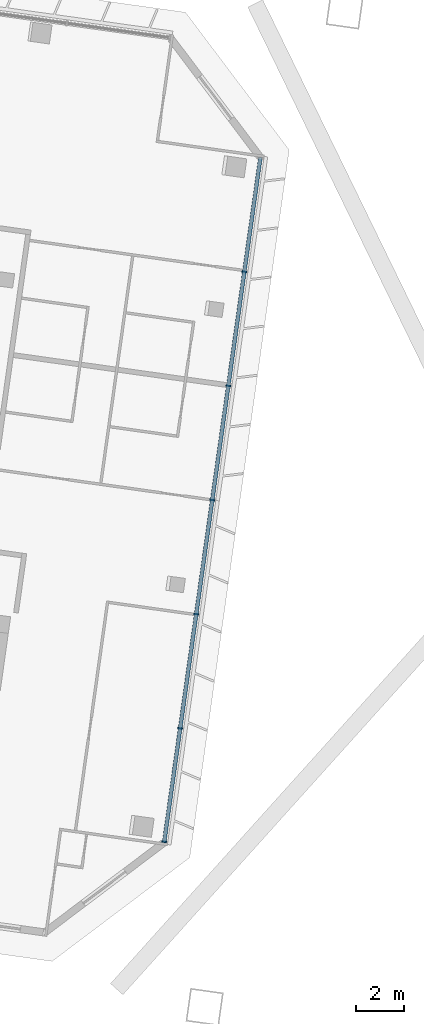
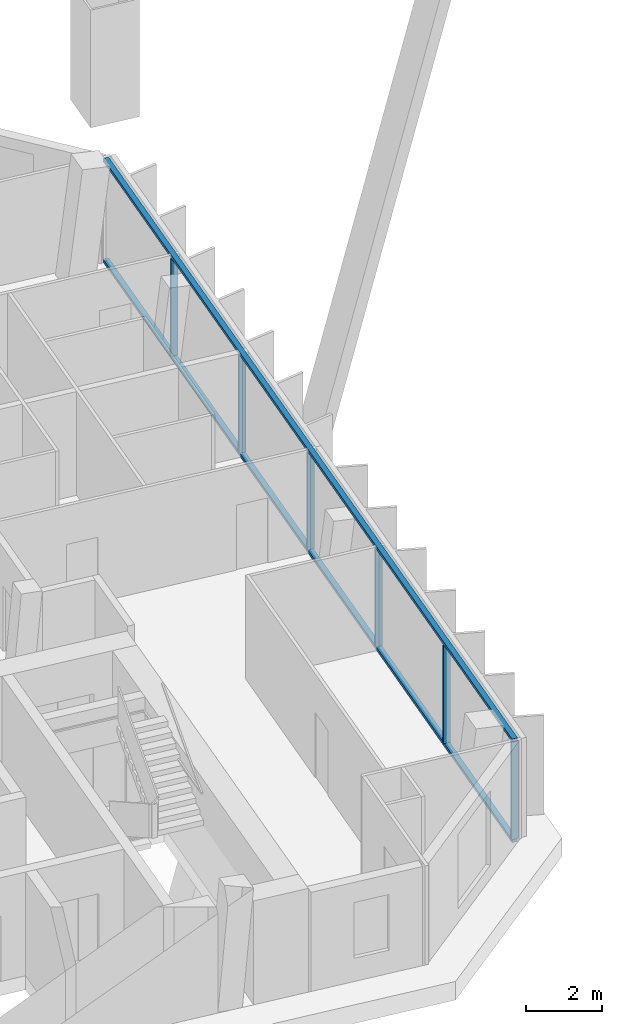
# One storey, part 3 of 26: 8 members, 1 element without a shape of its own.
"""IFC4 building model written with IfcOpenShell, lengths in metres."""

from ifc_helpers import new_model, si_unit, direction, frame, origin, origin_2d, place, context, subcontext, project, spatial, rectangle, extrude, material, material_profile, profile_set, type_object, element, aggregate, save


model = new_model("IFC4")

# Units and contexts
model_context = context("Model", 3, precision=1e-05, world=origin(), true_north=direction((0.0, 1.0)))
body_context = subcontext(model_context, "Body", "Model", "MODEL_VIEW")
ifc_project = project(units=[si_unit("LENGTHUNIT", "METRE"), si_unit("AREAUNIT", "SQUARE_METRE"), si_unit("VOLUMEUNIT", "CUBIC_METRE"), si_unit("PLANEANGLEUNIT", "RADIAN"), si_unit("MASSUNIT", "GRAM", prefix="KILO")], contexts=[model_context])

# Site, building, storey
site_placement = place(None, origin())
site = spatial("IfcSite", under=ifc_project, at=site_placement, CompositionType="ELEMENT")
building_placement = place(site_placement, origin())
building = spatial("IfcBuilding", under=site, at=building_placement, Name="Mirante Cascada Hotel Towers", CompositionType="ELEMENT")
storey_placement = place(building_placement, frame((0.0, 0.0, 203.0)))
storey = spatial("IfcBuildingStorey", under=building, at=storey_placement, Name="L48", CompositionType="ELEMENT", Elevation=203.0)

# Curtain wall, members
ifc_material_1 = material(Name="Aluminium mullion and transom frame with clear laminated glass", Category="aluminium")
curtain_wall_type = type_object("IfcCurtainWallType", Name="End ribbon curtain wall ECW2", PredefinedType="NOTDEFINED", material=ifc_material_1)
curtain_wall_placement = place(storey_placement, origin())
curtain_wall = element("IfcCurtainWall", 1, at=curtain_wall_placement, inside=storey, type_object=curtain_wall_type, Name="Inner end wall T1 L48", PredefinedType="NOTDEFINED")
ifc_material_2 = material(Name="Anodised aluminium extrusion", Category="aluminium")
ifc_material_profile_1 = material_profile(ifc_material_2, rectangle(XDim=0.2, YDim=0.065, at=origin_2d()), Name="ECW2 MULLION 65x200")
ifc_profile_set_1 = profile_set([ifc_material_profile_1], Name="Anodised aluminium extrusion")
member_type_1 = type_object("IfcMemberType", Name="ECW2 mullion 65x200", PredefinedType="MULLION", material=ifc_profile_set_1)
member_1_placement = place(storey_placement, frame((-25.7349, 7.1204, 0.1), z_axis=(0.0, 0.0, 1.0), x_axis=(0.9902681, -0.1391731, 0.0)))
member_1 = element("IfcMember", 2, at=member_1_placement, type_object=member_type_1, Name="ECW2 mullion 2", PredefinedType="MULLION", context=body_context, shape_type="SweptSolid", body=[
    extrude(rectangle(XDim=0.2, YDim=0.065, at=origin_2d()), origin(), (0.0, 0.0, 1.0), 3.15),
])
member_2_placement = place(storey_placement, frame((-26.4046, 2.3546, 0.1), z_axis=(0.0, 0.0, 1.0), x_axis=(0.9902681, -0.1391731, 0.0)))
member_2 = element("IfcMember", 3, at=member_2_placement, type_object=member_type_1, Name="ECW2 mullion 3", PredefinedType="MULLION", context=body_context, shape_type="SweptSolid", body=[
    extrude(rectangle(XDim=0.2, YDim=0.065, at=origin_2d()), origin(), (0.0, 0.0, 1.0), 3.15),
])
member_3_placement = place(storey_placement, frame((-27.0744, -2.4112, 0.1), z_axis=(0.0, 0.0, 1.0), x_axis=(0.9902681, -0.1391731, 0.0)))
member_3 = element("IfcMember", 4, at=member_3_placement, type_object=member_type_1, Name="ECW2 mullion 4", PredefinedType="MULLION", context=body_context, shape_type="SweptSolid", body=[
    extrude(rectangle(XDim=0.2, YDim=0.065, at=origin_2d()), origin(), (0.0, 0.0, 1.0), 3.15),
])
member_4_placement = place(storey_placement, frame((-27.7442, -7.1769, 0.1), z_axis=(0.0, 0.0, 1.0), x_axis=(0.9902681, -0.1391731, 0.0)))
member_4 = element("IfcMember", 5, at=member_4_placement, type_object=member_type_1, Name="ECW2 mullion 5", PredefinedType="MULLION", context=body_context, shape_type="SweptSolid", body=[
    extrude(rectangle(XDim=0.2, YDim=0.065, at=origin_2d()), origin(), (0.0, 0.0, 1.0), 3.15),
])
member_5_placement = place(storey_placement, frame((-28.414, -11.9427, 0.1), z_axis=(0.0, 0.0, 1.0), x_axis=(0.9902681, -0.1391731, 0.0)))
member_5 = element("IfcMember", 6, at=member_5_placement, type_object=member_type_1, Name="ECW2 mullion 6", PredefinedType="MULLION", context=body_context, shape_type="SweptSolid", body=[
    extrude(rectangle(XDim=0.2, YDim=0.065, at=origin_2d()), origin(), (0.0, 0.0, 1.0), 3.15),
])
member_6_placement = place(storey_placement, frame((-29.0793, -16.6763, 0.1), z_axis=(0.0, 0.0, 1.0), x_axis=(0.9902681, -0.1391731, 0.0)))
member_6 = element("IfcMember", 7, at=member_6_placement, type_object=member_type_1, Name="ECW2 mullion 7", PredefinedType="MULLION", context=body_context, shape_type="SweptSolid", body=[
    extrude(rectangle(XDim=0.2, YDim=0.065, at=origin_2d()), origin(), (0.0, 0.0, 1.0), 3.15),
])
ifc_material_3 = material(Name="Anodised aluminium extrusion", Category="aluminium")
ifc_material_profile_2 = material_profile(ifc_material_3, rectangle(XDim=0.16, YDim=0.1, at=origin_2d()), Name="ECW2 TRANSOM 100x160")
ifc_profile_set_2 = profile_set([ifc_material_profile_2], Name="Anodised aluminium extrusion")
member_type_2 = type_object("IfcMemberType", Name="ECW2 transom 100x160", PredefinedType="USERDEFINED", material=ifc_profile_set_2)
member_7_placement = place(storey_placement, frame((-25.0651, 11.8862, 0.05), z_axis=(-0.1391723, -0.9902682, 0.0), x_axis=(0.9902682, -0.1391723, 0.0)))
member_7 = element("IfcMember", 8, at=member_7_placement, type_object=member_type_2, Name="ECW2 sill transom", ObjectType="TRANSOM", PredefinedType="USERDEFINED", context=body_context, shape_type="SweptSolid", body=[
    extrude(rectangle(XDim=0.16, YDim=0.1, at=origin_2d()), origin(), (0.0, 0.0, 1.0), 28.8757),
])
member_8_placement = place(storey_placement, frame((-25.0651, 11.8862, 3.3), z_axis=(-0.1391723, -0.9902682, 0.0), x_axis=(0.9902682, -0.1391723, 0.0)))
member_8 = element("IfcMember", 9, at=member_8_placement, type_object=member_type_2, Name="ECW2 head transom", ObjectType="TRANSOM", PredefinedType="USERDEFINED", context=body_context, shape_type="SweptSolid", body=[
    extrude(rectangle(XDim=0.16, YDim=0.1, at=origin_2d()), origin(), (0.0, 0.0, 1.0), 28.8757),
])
aggregate(curtain_wall, [member_7, member_8, member_1, member_2, member_3, member_4, member_5, member_6])

save(model, "model.ifc")
